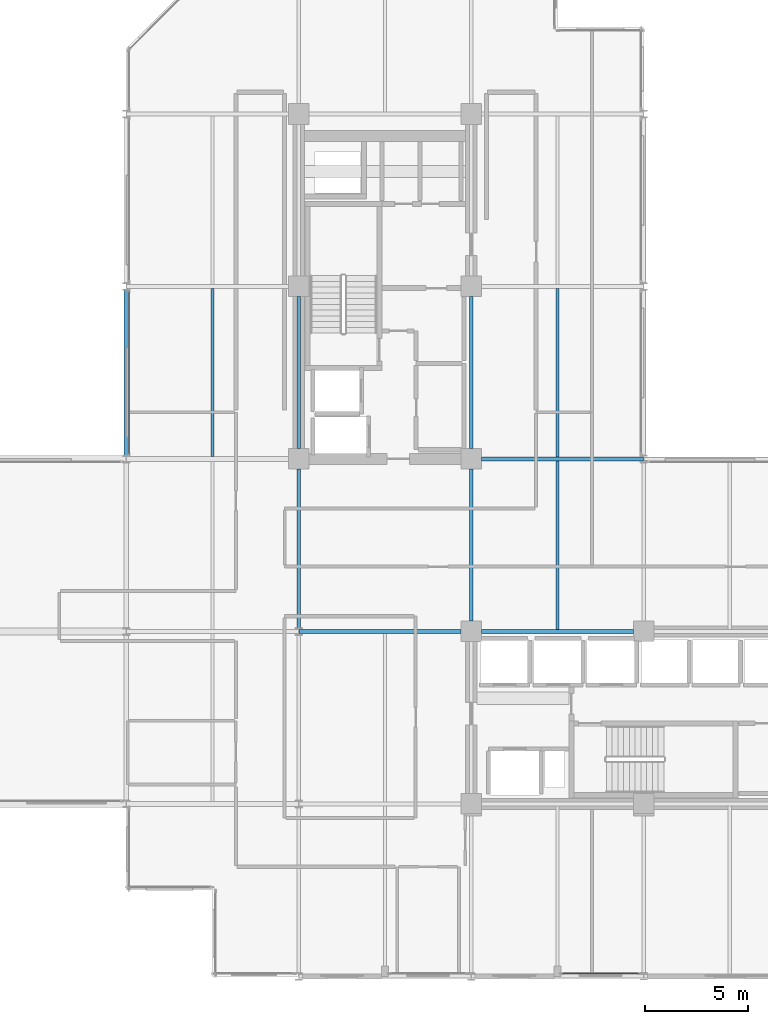
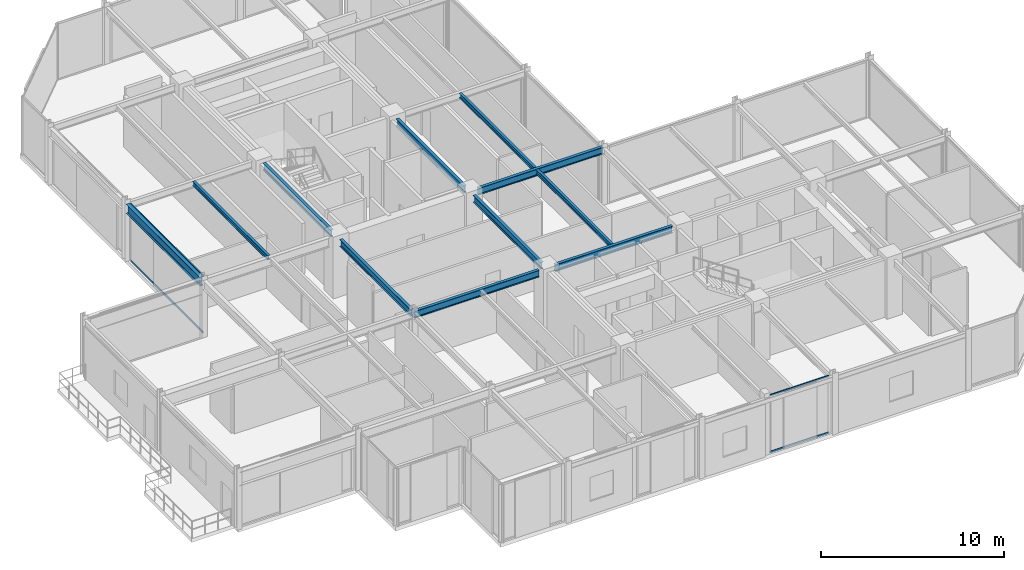
# One storey, part 10 of 29: 11 beams, 4 members, 2 elements without a shape of their own.
"""IFC4 building model written with IfcOpenShell, lengths in metres."""

import ifcopenshell
import ifcopenshell.guid

model = None  # the IFC model being written
_history = None  # IfcOwnerHistory: only IFC2X3 demands one
_inside = {}  # id of a spatial element -> (the spatial element, [elements in it])
_under = {}  # id of a project, library or spatial element -> (it, [spatial elements below it])
_declared = {}  # id of a project -> (the project, [libraries it declares])
_typed = {}  # id of a type object -> (the type object, [elements of that type])
_made_of = {}  # id of a material, layer set ... -> (it, [elements and type objects made of it])


def new_model(schema):
    """Start an empty IFC model of exactly this schema.

    Asked for "IFC4X3", IfcOpenShell would pick the latest addendum, in which some entities
    have other attributes; the version numbers below select the first issue.
    IFC2X3 requires an IfcOwnerHistory on every rooted entity: one is made here for all.
    """
    global model, _history
    if schema == "IFC4X3":
        model = ifcopenshell.file(schema_version=(4, 3, 0, 0))
    else:
        model = ifcopenshell.file(schema=schema)
    _inside.clear()
    _under.clear()
    _declared.clear()
    _typed.clear()
    _made_of.clear()
    _history = None
    if model.schema == "IFC2X3":
        org = make("IfcOrganization", Name="unknown")
        user = make(
            "IfcPersonAndOrganization",
            ThePerson=make("IfcPerson", FamilyName="unknown"),
            TheOrganization=org,
        )
        app = make(
            "IfcApplication",
            ApplicationDeveloper=org,
            Version="unknown",
            ApplicationFullName="unknown",
            ApplicationIdentifier="unknown",
        )
        _history = make(
            "IfcOwnerHistory",
            OwningUser=user,
            OwningApplication=app,
            ChangeAction="ADDED",
            CreationDate=0,
        )
    return model


def make(cls, **values):
    """One entity of the class cls with the attributes given. An attribute that is None is left unset."""
    return model.create_entity(
        cls, **{name: value for name, value in values.items() if value is not None}
    )


def rooted(cls, **values):
    """An entity with a GlobalId (a new one), such as an element, a storey or a relation."""
    return make(cls, GlobalId=ifcopenshell.guid.new(), OwnerHistory=_history, **values)


def si_unit(unit_type, name, prefix=None):
    """IfcSIUnit, for example si_unit("LENGTHUNIT", "METRE", prefix="MILLI")."""
    return make("IfcSIUnit", UnitType=unit_type, Prefix=prefix, Name=name)


def assignment(units):
    """IfcUnitAssignment: the units of a project."""
    return None if units is None else make("IfcUnitAssignment", Units=units)


def point(xyz):
    """IfcCartesianPoint."""
    return None if xyz is None else make("IfcCartesianPoint", Coordinates=xyz)


def direction(xyz):
    """IfcDirection."""
    return None if xyz is None else make("IfcDirection", DirectionRatios=xyz)


def frame(location, z_axis=None, x_axis=None):
    """IfcAxis2Placement3D, a coordinate frame: its origin and axes. An axis left out is left unset."""
    return make(
        "IfcAxis2Placement3D",
        Location=point(location),
        Axis=direction(z_axis),
        RefDirection=direction(x_axis),
    )


def frame_2d(location, x_axis=None):
    """IfcAxis2Placement2D, a coordinate frame in the plane: its origin and x axis."""
    return make(
        "IfcAxis2Placement2D", Location=point(location), RefDirection=direction(x_axis)
    )


def origin():
    """The frame at (0, 0, 0) with its axes left unset."""
    return frame((0.0, 0.0, 0.0))


def origin_2d():
    """The frame at (0, 0) in the plane with its x axis left unset."""
    return frame_2d((0.0, 0.0))


def place(relative_to, where):
    """IfcLocalPlacement: puts the frame where relative to a parent placement (None: the world)."""
    return make(
        "IfcLocalPlacement", PlacementRelTo=relative_to, RelativePlacement=where
    )


def context(
    kind, dimensions, precision=None, world=None, true_north=None, identifier=None
):
    """IfcGeometricRepresentationContext, for example the 3D "Model" context."""
    return make(
        "IfcGeometricRepresentationContext",
        ContextIdentifier=identifier,
        ContextType=kind,
        CoordinateSpaceDimension=dimensions,
        Precision=precision,
        WorldCoordinateSystem=world,
        TrueNorth=true_north,
    )


def subcontext(parent, identifier, kind, view, scale=None):
    """IfcGeometricRepresentationSubContext, for example "Body" below "Model"."""
    return make(
        "IfcGeometricRepresentationSubContext",
        ContextIdentifier=identifier,
        ContextType=kind,
        ParentContext=parent,
        TargetScale=scale,
        TargetView=view,
    )


def project(units=None, contexts=None):
    """IfcProject with its units and contexts."""
    return rooted(
        "IfcProject",
        Name="project",
        RepresentationContexts=contexts,
        UnitsInContext=assignment(units),
    )


def spatial(cls, under=None, at=None, **own):
    """A site, building, storey or space (cls), placed at a placement, below another one or the project."""
    s = rooted(cls, ObjectPlacement=at, **own)
    if under is not None:
        _under.setdefault(under.id(), (under, []))[1].append(s)
    return s


def profile(cls, at=None, kind="AREA", **sizes):
    """A parametric profile (cls). Its sizes go by their IFC names, for example OverallWidth=200.0."""
    return make(cls, ProfileType=kind, Position=at, **sizes)


def hollow_rectangle(**sizes):
    """IfcRectangleHollowProfileDef."""
    return profile("IfcRectangleHollowProfileDef", **sizes)


def i_section(**sizes):
    """IfcIShapeProfileDef."""
    return profile("IfcIShapeProfileDef", **sizes)


def extrude(swept, where, along, depth):
    """IfcExtrudedAreaSolid: the profile swept, set in the frame where, extruded along a direction by depth."""
    return make(
        "IfcExtrudedAreaSolid",
        SweptArea=swept,
        Position=where,
        ExtrudedDirection=direction(along),
        Depth=depth,
    )


def shape(context_of_items, identifier, shape_type, items):
    """IfcShapeRepresentation: the items that make up one representation, for example the "Body"."""
    return make(
        "IfcShapeRepresentation",
        ContextOfItems=context_of_items,
        RepresentationIdentifier=identifier,
        RepresentationType=shape_type,
        Items=items,
    )


def material(Name=None, Category=None):
    """IfcMaterial."""
    return make("IfcMaterial", Name=Name, Category=Category)


def layer(
    of_material, thickness, ventilated=None, Name=None, Category=None, Priority=None
):
    """IfcMaterialLayer: one layer of a wall or slab, of a material (None: an air gap)."""
    return make(
        "IfcMaterialLayer",
        Material=of_material,
        LayerThickness=thickness,
        IsVentilated=ventilated,
        Name=Name,
        Category=Category,
        Priority=Priority,
    )


def layer_set(layers, Name=None):
    """IfcMaterialLayerSet."""
    return make("IfcMaterialLayerSet", MaterialLayers=layers, LayerSetName=Name)


def material_profile(
    of_material, cross_section, Name=None, Category=None, Priority=None
):
    """IfcMaterialProfile: a cross section and its material."""
    return make(
        "IfcMaterialProfile",
        Name=Name,
        Material=of_material,
        Profile=cross_section,
        Priority=Priority,
        Category=Category,
    )


def profile_set(profiles, Name=None, composite=None):
    """IfcMaterialProfileSet."""
    return make(
        "IfcMaterialProfileSet",
        Name=Name,
        MaterialProfiles=profiles,
        CompositeProfile=composite,
    )


def made_of(thing, what):
    """Note that an element or type object is made of a material, layer set ...; save() writes the relation."""
    if what is not None:
        _made_of.setdefault(what.id(), (what, []))[1].append(thing)
    return thing


def type_object(cls, material=None, **own):
    """A type object (cls), such as IfcWallType, which elements share."""
    return made_of(rooted(cls, **own), material)


def element(
    cls,
    number,
    at=None,
    inside=None,
    cuts=None,
    type_object=None,
    material=None,
    context=None,
    identifier="Body",
    shape_type=None,
    held_by="IfcProductDefinitionShape",
    body=None,
    shapes=None,
    **own,
):
    """One element of the class cls, such as IfcWall. Its Tag is "e" and its number.

    at: its placement. inside: the storey or other place that contains it. cuts: it is an
    opening in that element (IfcRelVoidsElement). A single representation is given by context,
    identifier, shape_type and body (its items); several are given by shapes. held_by: the class
    of the entity that holds the representations. save() writes the other relations.
    """
    e = rooted(cls, Tag="e%d" % number, ObjectPlacement=at, **own)
    if body is not None:
        shapes = [shape(context, identifier, shape_type, body)]
    if shapes is not None:
        e.Representation = make(held_by, Representations=shapes)
    if inside is not None:
        _inside.setdefault(inside.id(), (inside, []))[1].append(e)
    if cuts is not None:
        rooted(
            "IfcRelVoidsElement", RelatingBuildingElement=cuts, RelatedOpeningElement=e
        )
    if type_object is not None:
        _typed.setdefault(type_object.id(), (type_object, []))[1].append(e)
    return made_of(e, material)


def aggregate(whole, parts):
    """IfcRelAggregates: a whole, such as a stair, and the parts it consists of."""
    return rooted("IfcRelAggregates", RelatingObject=whole, RelatedObjects=parts)


def save(model, path):
    """Write the relations noted so far, then the file.

    IfcRelAggregates (storeys below a building ...), IfcRelContainedInSpatialStructure (elements
    in a storey), IfcRelDefinesByType, IfcRelAssociatesMaterial and IfcRelDeclares: one each for
    every whole, place, type object, material and project.
    """
    for whole, parts in _under.values():
        aggregate(whole, parts)
    for where, things in _inside.values():
        rooted(
            "IfcRelContainedInSpatialStructure",
            RelatedElements=things,
            RelatingStructure=where,
        )
    for kind, things in _typed.values():
        rooted("IfcRelDefinesByType", RelatedObjects=things, RelatingType=kind)
    for what, things in _made_of.values():
        rooted("IfcRelAssociatesMaterial", RelatedObjects=things, RelatingMaterial=what)
    for by, libraries in _declared.values():
        rooted("IfcRelDeclares", RelatingContext=by, RelatedDefinitions=libraries)
    model.write(path)


model = new_model("IFC4")

# Units and contexts
model_context = context("Model", 3, precision=1e-05, world=origin(), true_north=direction((0.0, 1.0)))
body_context = subcontext(model_context, "Body", "Model", "MODEL_VIEW")
ifc_project = project(units=[si_unit("LENGTHUNIT", "METRE"), si_unit("AREAUNIT", "SQUARE_METRE"), si_unit("VOLUMEUNIT", "CUBIC_METRE"), si_unit("PLANEANGLEUNIT", "RADIAN"), si_unit("MASSUNIT", "GRAM", prefix="KILO")], contexts=[model_context])

# Site, building, storey
site_placement = place(None, origin())
site = spatial("IfcSite", under=ifc_project, at=site_placement, CompositionType="ELEMENT")
building_placement = place(site_placement, origin())
building = spatial("IfcBuilding", under=site, at=building_placement, Name="Nerrivon Quay Data Exchange", CompositionType="ELEMENT")
storey_placement = place(building_placement, frame((0.0, 0.0, 208.300048828125)))
storey = spatial("IfcBuildingStorey", under=building, at=storey_placement, Name="L49", CompositionType="ELEMENT", Elevation=208.300048828125)

# Beams
ifc_material_1 = material(Name="Steel Grade 350", Category="steel")
ifc_material_profile_1 = material_profile(ifc_material_1, i_section(OverallWidth=0.22802734375, OverallDepth=0.60205078125, WebThickness=0.010498046875, FlangeThickness=0.014892578125, FilletRadius=0.013916015625, at=origin_2d()), Name="610UB101")
ifc_profile_set_1 = profile_set([ifc_material_profile_1], Name="Steel Grade 350")
beam_type_1 = type_object("IfcBeamType", Name="BM-G2-610UB101", PredefinedType="BEAM", material=ifc_profile_set_1)
beam_1_placement = place(storey_placement, frame((0.0, 25.375, 3.52392578125), z_axis=(0.0, 1.0, 0.0), x_axis=(-1.0, 0.0, 0.0)))
element("IfcBeam", 1, at=beam_1_placement, inside=storey, type_object=beam_type_1, Name="L49 NS Girder X=0.0 (25.2..33.6)", PredefinedType="BEAM", context=body_context, shape_type="SweptSolid", body=[
    extrude(i_section(OverallWidth=0.22802734375, OverallDepth=0.60205078125, WebThickness=0.010498046875, FlangeThickness=0.014892578125, FilletRadius=0.013916015625, at=origin_2d()), origin(), (0.0, 0.0, 1.0), 8.050048828125),
])
ifc_material_profile_2 = material_profile(ifc_material_1, i_section(OverallWidth=0.19091796875, OverallDepth=0.4599609375, WebThickness=0.010009765625, FlangeThickness=0.01611328125, FilletRadius=0.011474609375, at=origin_2d()), Name="460UB82.1")
ifc_profile_set_2 = profile_set([ifc_material_profile_2], Name="Steel Grade 350")
beam_type_2 = type_object("IfcBeamType", Name="BM-G5-460UB82", PredefinedType="BEAM", material=ifc_profile_set_2)
beam_2_placement = place(storey_placement, frame((8.409912109375, 16.800048828125, 3.594970703125), z_axis=(1.0, 0.0, 0.0), x_axis=(0.0, 1.0, 0.0)))
element("IfcBeam", 2, at=beam_2_placement, inside=storey, type_object=beam_type_2, Name="L49 EW Girder Y=16.8 (8.4..16.8)", PredefinedType="BEAM", context=body_context, shape_type="SweptSolid", body=[
    extrude(i_section(OverallWidth=0.19091796875, OverallDepth=0.4599609375, WebThickness=0.010009765625, FlangeThickness=0.01611328125, FilletRadius=0.011474609375, at=origin_2d()), origin(), (0.0, 0.0, 1.0), 7.89013671875),
])
beam_3_placement = place(storey_placement, frame((17.300048828125, 16.800048828125, 3.594970703125), z_axis=(1.0, 0.0, 0.0), x_axis=(0.0, 1.0, 0.0)))
element("IfcBeam", 3, at=beam_3_placement, inside=storey, type_object=beam_type_2, Name="L49 EW Girder Y=16.8 (16.8..25.2)", PredefinedType="BEAM", context=body_context, shape_type="SweptSolid", body=[
    extrude(i_section(OverallWidth=0.19091796875, OverallDepth=0.4599609375, WebThickness=0.010009765625, FlangeThickness=0.01611328125, FilletRadius=0.011474609375, at=origin_2d()), origin(), (0.0, 0.0, 1.0), 7.39990234375),
])
beam_4_placement = place(storey_placement, frame((17.300048828125, 25.199951171875, 3.594970703125), z_axis=(1.0, 0.0, 0.0), x_axis=(0.0, 1.0, 0.0)))
element("IfcBeam", 4, at=beam_4_placement, inside=storey, type_object=beam_type_2, Name="L49 EW Girder Y=25.2 (16.8..25.2)", PredefinedType="BEAM", context=body_context, shape_type="SweptSolid", body=[
    extrude(i_section(OverallWidth=0.19091796875, OverallDepth=0.4599609375, WebThickness=0.010009765625, FlangeThickness=0.01611328125, FilletRadius=0.011474609375, at=origin_2d()), origin(), (0.0, 0.0, 1.0), 7.889892578125),
])
ifc_material_profile_3 = material_profile(ifc_material_1, i_section(OverallWidth=0.18994140625, OverallDepth=0.4541015625, WebThickness=0.008544921875, FlangeThickness=0.0126953125, FilletRadius=0.011474609375, at=origin_2d()), Name="460UB67.1")
ifc_profile_set_3 = profile_set([ifc_material_profile_3], Name="Steel Grade 350")
beam_type_3 = type_object("IfcBeamType", Name="BM-G6-460UB67", PredefinedType="BEAM", material=ifc_profile_set_3)
beam_5_placement = place(storey_placement, frame((8.39990234375, 16.97509765625, 3.597900390625), z_axis=(0.0, 1.0, 0.0), x_axis=(-1.0, 0.0, 0.0)))
element("IfcBeam", 5, at=beam_5_placement, inside=storey, type_object=beam_type_3, Name="L49 NS Girder X=8.4 (16.8..25.2)", PredefinedType="BEAM", context=body_context, shape_type="SweptSolid", body=[
    extrude(i_section(OverallWidth=0.18994140625, OverallDepth=0.4541015625, WebThickness=0.008544921875, FlangeThickness=0.0126953125, FilletRadius=0.011474609375, at=origin_2d()), origin(), (0.0, 0.0, 1.0), 7.724853515625),
])
beam_6_placement = place(storey_placement, frame((8.39990234375, 25.699951171875, 3.597900390625), z_axis=(0.0, 1.0, 0.0), x_axis=(-1.0, 0.0, 0.0)))
element("IfcBeam", 6, at=beam_6_placement, inside=storey, type_object=beam_type_3, Name="L49 NS Girder X=8.4 (25.2..33.6)", PredefinedType="BEAM", context=body_context, shape_type="SweptSolid", body=[
    extrude(i_section(OverallWidth=0.18994140625, OverallDepth=0.4541015625, WebThickness=0.008544921875, FlangeThickness=0.0126953125, FilletRadius=0.011474609375, at=origin_2d()), origin(), (0.0, 0.0, 1.0), 7.400146484375),
])
beam_7_placement = place(storey_placement, frame((16.800048828125, 17.300048828125, 3.597900390625), z_axis=(0.0, 1.0, 0.0), x_axis=(-1.0, 0.0, 0.0)))
element("IfcBeam", 7, at=beam_7_placement, inside=storey, type_object=beam_type_3, Name="L49 NS Girder X=16.8 (16.8..25.2)", PredefinedType="BEAM", context=body_context, shape_type="SweptSolid", body=[
    extrude(i_section(OverallWidth=0.18994140625, OverallDepth=0.4541015625, WebThickness=0.008544921875, FlangeThickness=0.0126953125, FilletRadius=0.011474609375, at=origin_2d()), origin(), (0.0, 0.0, 1.0), 7.39990234375),
])
beam_8_placement = place(storey_placement, frame((16.800048828125, 25.699951171875, 3.597900390625), z_axis=(0.0, 1.0, 0.0), x_axis=(-1.0, 0.0, 0.0)))
element("IfcBeam", 8, at=beam_8_placement, inside=storey, type_object=beam_type_3, Name="L49 NS Girder X=16.8 (25.2..33.6)", PredefinedType="BEAM", context=body_context, shape_type="SweptSolid", body=[
    extrude(i_section(OverallWidth=0.18994140625, OverallDepth=0.4541015625, WebThickness=0.008544921875, FlangeThickness=0.0126953125, FilletRadius=0.011474609375, at=origin_2d()), origin(), (0.0, 0.0, 1.0), 7.400146484375),
])
ifc_material_profile_4 = material_profile(ifc_material_1, i_section(OverallWidth=0.166015625, OverallDepth=0.306884765625, WebThickness=0.006591796875, FlangeThickness=0.01171875, FilletRadius=0.011474609375, at=origin_2d()), Name="310UB46.2")
ifc_profile_set_4 = profile_set([ifc_material_profile_4], Name="Steel Grade 350")
beam_type_4 = type_object("IfcBeamType", Name="BM-J5-310UB46", PredefinedType="JOIST", material=ifc_profile_set_4)
beam_9_placement = place(storey_placement, frame((4.199951171875, 25.314453125, 3.67138671875), z_axis=(0.0, 1.0, 0.0), x_axis=(-1.0, 0.0, 0.0)))
element("IfcBeam", 9, at=beam_9_placement, inside=storey, type_object=beam_type_4, Name="L49 Secondary Joist X=4.2 (25.2..33.6)", PredefinedType="JOIST", context=body_context, shape_type="SweptSolid", body=[
    extrude(i_section(OverallWidth=0.166015625, OverallDepth=0.306884765625, WebThickness=0.006591796875, FlangeThickness=0.01171875, FilletRadius=0.011474609375, at=origin_2d()), origin(), (0.0, 0.0, 1.0), 8.18994140625),
])
for number, where, z_axis, x_axis, name in (
    (10, (21.0, 16.8955078125, 3.67138671875), (0.0, 1.0, 0.0), (-1.0, 0.0, 0.0), "L49 Secondary Joist X=21.0 (16.8..25.2)"),
    (11, (21.0, 25.29541015625, 3.67138671875), (0.0, 1.0, 0.0), (-1.0, 0.0, 0.0), "L49 Secondary Joist X=21.0 (25.2..33.6)"),
):
    element("IfcBeam", number, at=place(storey_placement, frame(where, z_axis=z_axis, x_axis=x_axis)), inside=storey, type_object=beam_type_4, Name=name, PredefinedType="JOIST", context=body_context, shape_type="SweptSolid", body=[
        extrude(i_section(OverallWidth=0.166015625, OverallDepth=0.306884765625, WebThickness=0.006591796875, FlangeThickness=0.01171875, FilletRadius=0.011474609375, at=origin_2d()), origin(), (0.0, 0.0, 1.0), 8.208984375),
    ])

# Curtain wall, members
ifc_material_2 = material(Name="Anodised aluminium 6063-T6", Category="aluminium")
ifc_layer = layer(ifc_material_2, 0.195068359375)
ifc_layer_set = layer_set([ifc_layer], Name="Anodised aluminium 6063-T6")
curtain_wall_type = type_object("IfcCurtainWallType", Name="CW-SYS-06", PredefinedType="NOTDEFINED", material=ifc_layer_set)
curtain_wall_1_placement = place(storey_placement, origin())
curtain_wall_1 = element("IfcCurtainWall", 12, at=curtain_wall_1_placement, inside=storey, type_object=curtain_wall_type, Name="L49 Unitised Curtain Wall 4", PredefinedType="NOTDEFINED")
ifc_material_profile_5 = material_profile(ifc_material_2, hollow_rectangle(XDim=0.06005859375, YDim=0.1201171875, WallThickness=0.003173828125, at=origin_2d()), Name="ALU-TRAN-120x60")
ifc_profile_set_5 = profile_set([ifc_material_profile_5], Name="Anodised aluminium 6063-T6")
member_type = type_object("IfcMemberType", Name="CWT-120x60", PredefinedType="USERDEFINED", material=ifc_profile_set_5)
member_1_placement = place(storey_placement, frame((0.139892578125, 25.449951171875, 0.032470703125), z_axis=(0.0, 1.0, 0.0), x_axis=(-1.0, 0.0, 0.0)))
member_1 = element("IfcMember", 13, at=member_1_placement, type_object=member_type, Name="CW06 transom 1.1", ObjectType="TRANSOM", PredefinedType="USERDEFINED", context=body_context, shape_type="SweptSolid", body=[
    extrude(hollow_rectangle(XDim=0.06005859375, YDim=0.1201171875, WallThickness=0.003173828125, at=origin_2d()), origin(), (0.0, 0.0, 1.0), 7.900146484375),
])
member_2_placement = place(storey_placement, frame((0.139892578125, 25.449951171875, 3.79248046875), z_axis=(0.0, 1.0, 0.0), x_axis=(-1.0, 0.0, 0.0)))
member_2 = element("IfcMember", 14, at=member_2_placement, type_object=member_type, Name="CW06 transom 1.2", ObjectType="TRANSOM", PredefinedType="USERDEFINED", context=body_context, shape_type="SweptSolid", body=[
    extrude(hollow_rectangle(XDim=0.06005859375, YDim=0.1201171875, WallThickness=0.003173828125, at=origin_2d()), origin(), (0.0, 0.0, 1.0), 7.900146484375),
])
aggregate(curtain_wall_1, [member_1, member_2])

curtain_wall_2_placement = place(storey_placement, origin())
curtain_wall_2 = element("IfcCurtainWall", 15, at=curtain_wall_2_placement, inside=storey, type_object=curtain_wall_type, Name="L49 Unitised Curtain Wall 24", PredefinedType="NOTDEFINED")
member_3_placement = place(storey_placement, frame((24.949951171875, 0.139892578125, 0.032470703125), z_axis=(-1.0, 0.0, 0.0), x_axis=(0.0, -1.0, 0.0)))
member_3 = element("IfcMember", 16, at=member_3_placement, type_object=member_type, Name="CW06 transom 1.1", ObjectType="TRANSOM", PredefinedType="USERDEFINED", context=body_context, shape_type="SweptSolid", body=[
    extrude(hollow_rectangle(XDim=0.06005859375, YDim=0.1201171875, WallThickness=0.003173828125, at=origin_2d()), origin(), (0.0, 0.0, 1.0), 3.699951171875),
])
member_4_placement = place(storey_placement, frame((24.949951171875, 0.139892578125, 3.79248046875), z_axis=(-1.0, 0.0, 0.0), x_axis=(0.0, -1.0, 0.0)))
member_4 = element("IfcMember", 17, at=member_4_placement, type_object=member_type, Name="CW06 transom 1.2", ObjectType="TRANSOM", PredefinedType="USERDEFINED", context=body_context, shape_type="SweptSolid", body=[
    extrude(hollow_rectangle(XDim=0.06005859375, YDim=0.1201171875, WallThickness=0.003173828125, at=origin_2d()), origin(), (0.0, 0.0, 1.0), 3.699951171875),
])
aggregate(curtain_wall_2, [member_3, member_4])

save(model, "model.ifc")
